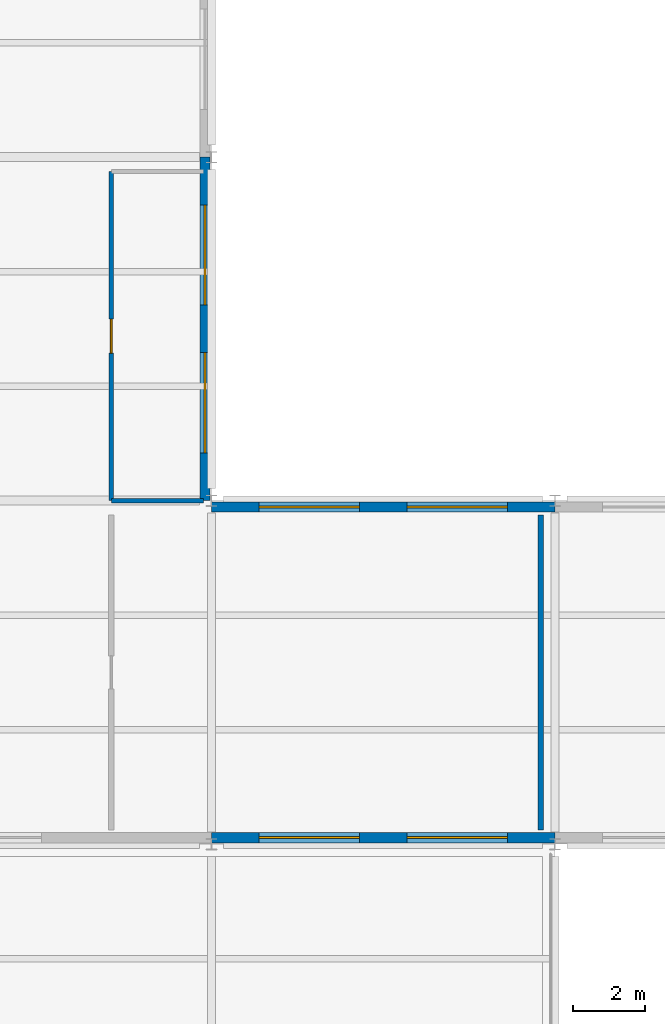
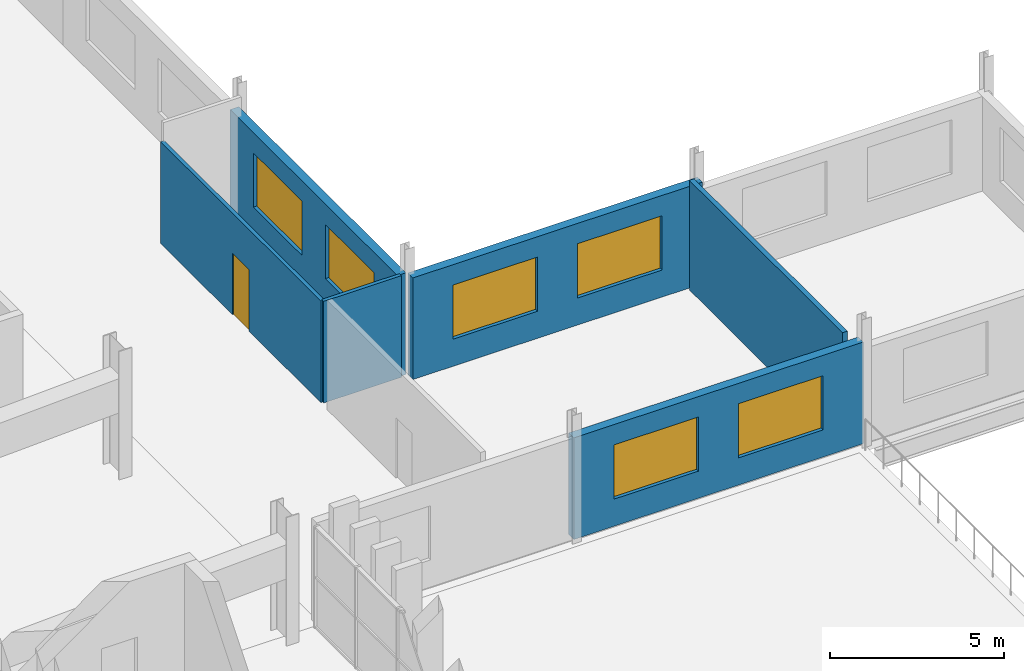
# One storey, part 43 of 69: 6 walls, 6 windows, 1 door, 7 openings.
"""IFC4 building model written with IfcOpenShell, lengths in metres."""

from ifc_helpers import new_model, si_unit, direction, frame, frame_2d, origin, place, context, subcontext, project, spatial, rectangle, extrude, material, layer, layer_set, type_object, element, fill, save


model = new_model("IFC4")

# Units and contexts
model_context = context("Model", 3, precision=1e-05, world=origin(), true_north=direction((0.0, 1.0)))
body_context = subcontext(model_context, "Body", "Model", "MODEL_VIEW")
ifc_project = project(units=[si_unit("LENGTHUNIT", "METRE"), si_unit("AREAUNIT", "SQUARE_METRE"), si_unit("VOLUMEUNIT", "CUBIC_METRE"), si_unit("PLANEANGLEUNIT", "RADIAN"), si_unit("MASSUNIT", "GRAM", prefix="KILO")], contexts=[model_context])

# Site, building, storey
site_placement = place(None, origin())
site = spatial("IfcSite", under=ifc_project, at=site_placement, CompositionType="ELEMENT")
building_placement = place(site_placement, origin())
building = spatial("IfcBuilding", under=site, at=building_placement, Name="Caelomonte Colonnade Arena", CompositionType="ELEMENT")
storey_placement = place(building_placement, frame((0.0, 0.0, 18.60009765625)))
storey = spatial("IfcBuildingStorey", under=building, at=storey_placement, Name="L04", CompositionType="ELEMENT", Elevation=18.60009765625)

# Wall, openings, windows
ifc_material_1 = material(Name="Precast concrete C40/50", Category="concrete")
ifc_layer_1 = layer(ifc_material_1, 0.2900390625)
ifc_layer_set_1 = layer_set([ifc_layer_1], Name="Precast concrete C40/50")
wall_type_1 = type_object("IfcWallType", Name="ENV-WL-EXT29", PredefinedType="SOLIDWALL", material=ifc_layer_set_1)
wall_1_placement = place(storey_placement, frame((172.800048828125, 67.3798828125, 0.0), z_axis=(0.0, 0.0, 1.0), x_axis=(1.0, 0.0, 0.0)))
wall_1 = element("IfcWall", 1, at=wall_1_placement, inside=storey, type_object=wall_type_1, Name="L04 exterior wall EW-L04-0307", PredefinedType="SOLIDWALL", context=body_context, shape_type="SweptSolid", body=[
    extrude(rectangle(XDim=9.599853515625, YDim=0.2900390625, at=frame_2d((4.7998046875, 0.0))), origin(), (0.0, 0.0, 1.0), 3.561767578125),
])
opening_1_placement = place(wall_1_placement, frame((4.13330078125, 0.0, 0.949951171875), z_axis=(0.0, 0.0, 1.0), x_axis=(-1.0, 0.0, 0.0)))
opening_1 = element("IfcOpeningElement", 2, at=opening_1_placement, cuts=wall_1, Name="Opening WN-07", PredefinedType="OPENING", context=body_context, shape_type="SweptSolid", body=[
    extrude(rectangle(XDim=2.800048828125, YDim=1.89990234375, at=frame_2d((1.39990234375, 0.949951171875))), frame((0.0, 0.155029296875, 0.0), z_axis=(0.0, -1.0, 0.0), x_axis=(1.0, 0.0, 0.0)), (0.0, 0.0, 1.0), 0.31005859375),
])
opening_2_placement = place(wall_1_placement, frame((8.266845703125, 0.0, 0.949951171875), z_axis=(0.0, 0.0, 1.0), x_axis=(-1.0, 0.0, 0.0)))
opening_2 = element("IfcOpeningElement", 3, at=opening_2_placement, cuts=wall_1, Name="Opening WN-07", PredefinedType="OPENING", context=body_context, shape_type="SweptSolid", body=[
    extrude(rectangle(XDim=2.800048828125, YDim=1.89990234375, at=frame_2d((1.39990234375, 0.949951171875))), frame((0.0, 0.155029296875, 0.0), z_axis=(0.0, -1.0, 0.0), x_axis=(1.0, 0.0, 0.0)), (0.0, 0.0, 1.0), 0.31005859375),
])
ifc_material_2 = material(Name="Solar-control bronze low-E double glazing", Category="glass")
window_type = type_object("IfcWindowType", Name="ENV-WN-V4D", PartitioningType="DOUBLE_PANEL_VERTICAL", PredefinedType="WINDOW", material=ifc_material_2)
window_1_placement = place(opening_1_placement, origin())
window_1 = element("IfcWindow", 4, at=window_1_placement, inside=storey, type_object=window_type, Name="L04 facade window 248", OverallHeight=1.89990234375, OverallWidth=2.800048828125, PartitioningType="SINGLE_PANEL", PredefinedType="WINDOW", context=body_context, shape_type="SweptSolid", body=[
    extrude(rectangle(XDim=2.800048828125, YDim=1.89990234375, at=frame_2d((1.39990234375, 0.949951171875))), frame((0.0, 0.030029296875, 0.0), z_axis=(0.0, -1.0, 0.0), x_axis=(1.0, 0.0, 0.0)), (0.0, 0.0, 1.0), 0.06005859375),
])
fill(opening_1, window_1)
window_2_placement = place(opening_2_placement, origin())
window_2 = element("IfcWindow", 5, at=window_2_placement, inside=storey, type_object=window_type, Name="L04 facade window 249", OverallHeight=1.89990234375, OverallWidth=2.800048828125, PartitioningType="SINGLE_PANEL", PredefinedType="WINDOW", context=body_context, shape_type="SweptSolid", body=[
    extrude(rectangle(XDim=2.800048828125, YDim=1.89990234375, at=frame_2d((1.39990234375, 0.949951171875))), frame((0.0, 0.030029296875, 0.0), z_axis=(0.0, -1.0, 0.0), x_axis=(1.0, 0.0, 0.0)), (0.0, 0.0, 1.0), 0.06005859375),
])
fill(opening_2, window_2)

wall_2_placement = place(storey_placement, frame((182.39990234375, 76.6201171875, 0.0), z_axis=(0.0, 0.0, 1.0), x_axis=(-1.0, 0.0, 0.0)))
wall_2 = element("IfcWall", 6, at=wall_2_placement, inside=storey, type_object=wall_type_1, Name="L04 exterior wall EW-L04-0311", PredefinedType="SOLIDWALL", context=body_context, shape_type="SweptSolid", body=[
    extrude(rectangle(XDim=9.599853515625, YDim=0.2900390625, at=frame_2d((4.7998046875, 0.0))), origin(), (0.0, 0.0, 1.0), 3.561767578125),
])
opening_3_placement = place(wall_2_placement, frame((4.13330078125, 0.0, 0.949951171875), z_axis=(0.0, 0.0, 1.0), x_axis=(-1.0, 0.0, 0.0)))
opening_3 = element("IfcOpeningElement", 7, at=opening_3_placement, cuts=wall_2, Name="Opening WN-07", PredefinedType="OPENING", context=body_context, shape_type="SweptSolid", body=[
    extrude(rectangle(XDim=2.800048828125, YDim=1.89990234375, at=frame_2d((1.39990234375, 0.949951171875))), frame((0.0, 0.155029296875, 0.0), z_axis=(0.0, -1.0, 0.0), x_axis=(1.0, 0.0, 0.0)), (0.0, 0.0, 1.0), 0.31005859375),
])
opening_4_placement = place(wall_2_placement, frame((8.266845703125, 0.0, 0.949951171875), z_axis=(0.0, 0.0, 1.0), x_axis=(-1.0, 0.0, 0.0)))
opening_4 = element("IfcOpeningElement", 8, at=opening_4_placement, cuts=wall_2, Name="Opening WN-07", PredefinedType="OPENING", context=body_context, shape_type="SweptSolid", body=[
    extrude(rectangle(XDim=2.800048828125, YDim=1.89990234375, at=frame_2d((1.39990234375, 0.949951171875))), frame((0.0, 0.155029296875, 0.0), z_axis=(0.0, -1.0, 0.0), x_axis=(1.0, 0.0, 0.0)), (0.0, 0.0, 1.0), 0.31005859375),
])
window_3_placement = place(opening_3_placement, origin())
window_3 = element("IfcWindow", 9, at=window_3_placement, inside=storey, type_object=window_type, Name="L04 facade window 256", OverallHeight=1.89990234375, OverallWidth=2.800048828125, PartitioningType="SINGLE_PANEL", PredefinedType="WINDOW", context=body_context, shape_type="SweptSolid", body=[
    extrude(rectangle(XDim=2.800048828125, YDim=1.89990234375, at=frame_2d((1.39990234375, 0.949951171875))), frame((0.0, 0.030029296875, 0.0), z_axis=(0.0, -1.0, 0.0), x_axis=(1.0, 0.0, 0.0)), (0.0, 0.0, 1.0), 0.06005859375),
])
fill(opening_3, window_3)
window_4_placement = place(opening_4_placement, origin())
window_4 = element("IfcWindow", 10, at=window_4_placement, inside=storey, type_object=window_type, Name="L04 facade window 257", OverallHeight=1.89990234375, OverallWidth=2.800048828125, PartitioningType="SINGLE_PANEL", PredefinedType="WINDOW", context=body_context, shape_type="SweptSolid", body=[
    extrude(rectangle(XDim=2.800048828125, YDim=1.89990234375, at=frame_2d((1.39990234375, 0.949951171875))), frame((0.0, 0.030029296875, 0.0), z_axis=(0.0, -1.0, 0.0), x_axis=(1.0, 0.0, 0.0)), (0.0, 0.0, 1.0), 0.06005859375),
])
fill(opening_4, window_4)

wall_3_placement = place(storey_placement, frame((172.6201171875, 76.800048828125, 0.0), z_axis=(0.0, 0.0, 1.0), x_axis=(0.0, 1.0, 0.0)))
wall_3 = element("IfcWall", 11, at=wall_3_placement, inside=storey, type_object=wall_type_1, Name="L04 exterior wall EW-L04-0312", PredefinedType="SOLIDWALL", context=body_context, shape_type="SweptSolid", body=[
    extrude(rectangle(XDim=9.599853515625, YDim=0.2900390625, at=frame_2d((4.7998046875, 0.0))), origin(), (0.0, 0.0, 1.0), 3.561767578125),
])
opening_5_placement = place(wall_3_placement, frame((4.13330078125, 0.0, 0.949951171875), z_axis=(0.0, 0.0, 1.0), x_axis=(-1.0, 0.0, 0.0)))
opening_5 = element("IfcOpeningElement", 12, at=opening_5_placement, cuts=wall_3, Name="Opening WN-07", PredefinedType="OPENING", context=body_context, shape_type="SweptSolid", body=[
    extrude(rectangle(XDim=2.800048828125, YDim=1.89990234375, at=frame_2d((1.39990234375, 0.949951171875))), frame((0.0, 0.155029296875, 0.0), z_axis=(0.0, -1.0, 0.0), x_axis=(1.0, 0.0, 0.0)), (0.0, 0.0, 1.0), 0.31005859375),
])
opening_6_placement = place(wall_3_placement, frame((8.266845703125, 0.0, 0.949951171875), z_axis=(0.0, 0.0, 1.0), x_axis=(-1.0, 0.0, 0.0)))
opening_6 = element("IfcOpeningElement", 13, at=opening_6_placement, cuts=wall_3, Name="Opening WN-07", PredefinedType="OPENING", context=body_context, shape_type="SweptSolid", body=[
    extrude(rectangle(XDim=2.800048828125, YDim=1.89990234375, at=frame_2d((1.39990234375, 0.949951171875))), frame((0.0, 0.155029296875, 0.0), z_axis=(0.0, -1.0, 0.0), x_axis=(1.0, 0.0, 0.0)), (0.0, 0.0, 1.0), 0.31005859375),
])
window_5_placement = place(opening_5_placement, origin())
window_5 = element("IfcWindow", 14, at=window_5_placement, inside=storey, type_object=window_type, Name="L04 facade window 258", OverallHeight=1.89990234375, OverallWidth=2.800048828125, PartitioningType="SINGLE_PANEL", PredefinedType="WINDOW", context=body_context, shape_type="SweptSolid", body=[
    extrude(rectangle(XDim=2.800048828125, YDim=1.89990234375, at=frame_2d((1.39990234375, 0.949951171875))), frame((0.0, 0.030029296875, 0.0), z_axis=(0.0, -1.0, 0.0), x_axis=(1.0, 0.0, 0.0)), (0.0, 0.0, 1.0), 0.06005859375),
])
fill(opening_5, window_5)
window_6_placement = place(opening_6_placement, origin())
window_6 = element("IfcWindow", 15, at=window_6_placement, inside=storey, type_object=window_type, Name="L04 facade window 259", OverallHeight=1.89990234375, OverallWidth=2.800048828125, PartitioningType="SINGLE_PANEL", PredefinedType="WINDOW", context=body_context, shape_type="SweptSolid", body=[
    extrude(rectangle(XDim=2.800048828125, YDim=1.89990234375, at=frame_2d((1.39990234375, 0.949951171875))), frame((0.0, 0.030029296875, 0.0), z_axis=(0.0, -1.0, 0.0), x_axis=(1.0, 0.0, 0.0)), (0.0, 0.0, 1.0), 0.06005859375),
])
fill(opening_6, window_6)

# Wall, opening, door
ifc_material_3 = material(Name="Office gypsum stud partition")
ifc_layer_2 = layer(ifc_material_3, 0.1201171875)
ifc_layer_set_2 = layer_set([ifc_layer_2], Name="Office gypsum stud partition")
wall_type_2 = type_object("IfcWallType", Name="INT-WL-PT12", PredefinedType="PARTITIONING", material=ifc_layer_set_2)
wall_4_placement = place(storey_placement, frame((170.0, 76.800048828125, 0.0), z_axis=(0.0, 0.0, 1.0), x_axis=(0.0, 1.0, 0.0)))
wall_4 = element("IfcWall", 16, at=wall_4_placement, inside=storey, type_object=wall_type_2, Name="L04 Upper Concession Kiosk partition 252", PredefinedType="PARTITIONING", context=body_context, shape_type="SweptSolid", body=[
    extrude(rectangle(XDim=9.199951171875, YDim=0.1201171875, at=frame_2d((4.60009765625, 0.0))), origin(), (0.0, 0.0, 1.0), 3.561767578125),
])
opening_7_placement = place(wall_4_placement, frame((4.125, 0.0, 0.0), z_axis=(0.0, 0.0, 1.0), x_axis=(1.0, 0.0, 0.0)))
opening_7 = element("IfcOpeningElement", 17, at=opening_7_placement, cuts=wall_4, Name="Opening D-L04-070", PredefinedType="OPENING", context=body_context, shape_type="SweptSolid", body=[
    extrude(rectangle(XDim=0.949951171875, YDim=2.14990234375, at=frame_2d((0.47509765625, 1.074951171875))), frame((0.0, 0.070068359375, 0.0), z_axis=(0.0, -1.0, 0.0), x_axis=(1.0, 0.0, 0.0)), (0.0, 0.0, 1.0), 0.14013671875),
])
ifc_material_4 = material(Name="Solid-core timber office door", Category="wood")
door_type = type_object("IfcDoorType", Name="INT-DR-OFF", OperationType="NOTDEFINED", PredefinedType="DOOR", material=ifc_material_4)
door_placement = place(opening_7_placement, origin())
door = element("IfcDoor", 18, at=door_placement, inside=storey, type_object=door_type, Name="L04 Upper Concession Kiosk door D-L04-070", OperationType="SINGLE_SWING_RIGHT", OverallHeight=2.14990234375, OverallWidth=0.949951171875, PredefinedType="DOOR", context=body_context, shape_type="SweptSolid", body=[
    extrude(rectangle(XDim=0.949951171875, YDim=2.14990234375, at=frame_2d((0.47509765625, 1.074951171875))), frame((0.0, 0.02490234375, 0.0), z_axis=(0.0, -1.0, 0.0), x_axis=(1.0, 0.0, 0.0)), (0.0, 0.0, 1.0), 0.050048828125),
])
fill(opening_7, door)

# Walls
wall_5_placement = place(storey_placement, frame((172.580078125, 76.800048828125, 0.0), z_axis=(0.0, 0.0, 1.0), x_axis=(-1.0, 0.0, 0.0)))
element("IfcWall", 19, at=wall_5_placement, inside=storey, type_object=wall_type_2, Name="L04 Upper Concession Kiosk partition 254", PredefinedType="PARTITIONING", context=body_context, shape_type="SweptSolid", body=[
    extrude(rectangle(XDim=2.580078125, YDim=0.1201171875, at=frame_2d((1.2900390625, 0.0))), origin(), (0.0, 0.0, 1.0), 3.561767578125),
])
ifc_material_5 = material(Name="Moisture-resistant WC partition")
ifc_layer_3 = layer(ifc_material_5, 0.159912109375)
ifc_layer_set_3 = layer_set([ifc_layer_3], Name="Moisture-resistant WC partition")
wall_type_3 = type_object("IfcWallType", Name="INT-WL-PT16", PredefinedType="PARTITIONING", material=ifc_layer_set_3)
wall_6_placement = place(storey_placement, frame((182.0, 76.39990234375, 0.0), z_axis=(0.0, 0.0, 1.0), x_axis=(0.0, -1.0, 0.0)))
element("IfcWall", 20, at=wall_6_placement, inside=storey, type_object=wall_type_3, Name="L04 Upper Concourse Restroom partition 245", PredefinedType="PARTITIONING", context=body_context, shape_type="SweptSolid", body=[
    extrude(rectangle(XDim=8.7998046875, YDim=0.159912109375, at=frame_2d((4.39990234375, 0.0))), origin(), (0.0, 0.0, 1.0), 3.8359375),
])

save(model, "model.ifc")
